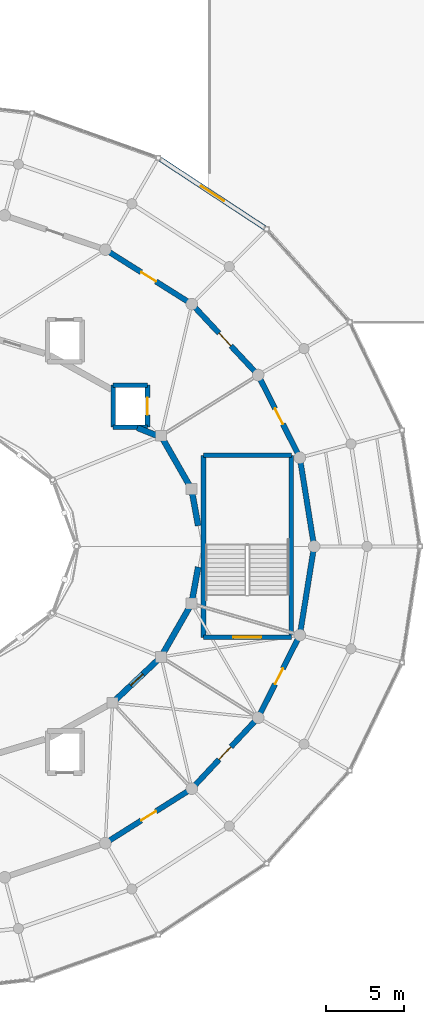
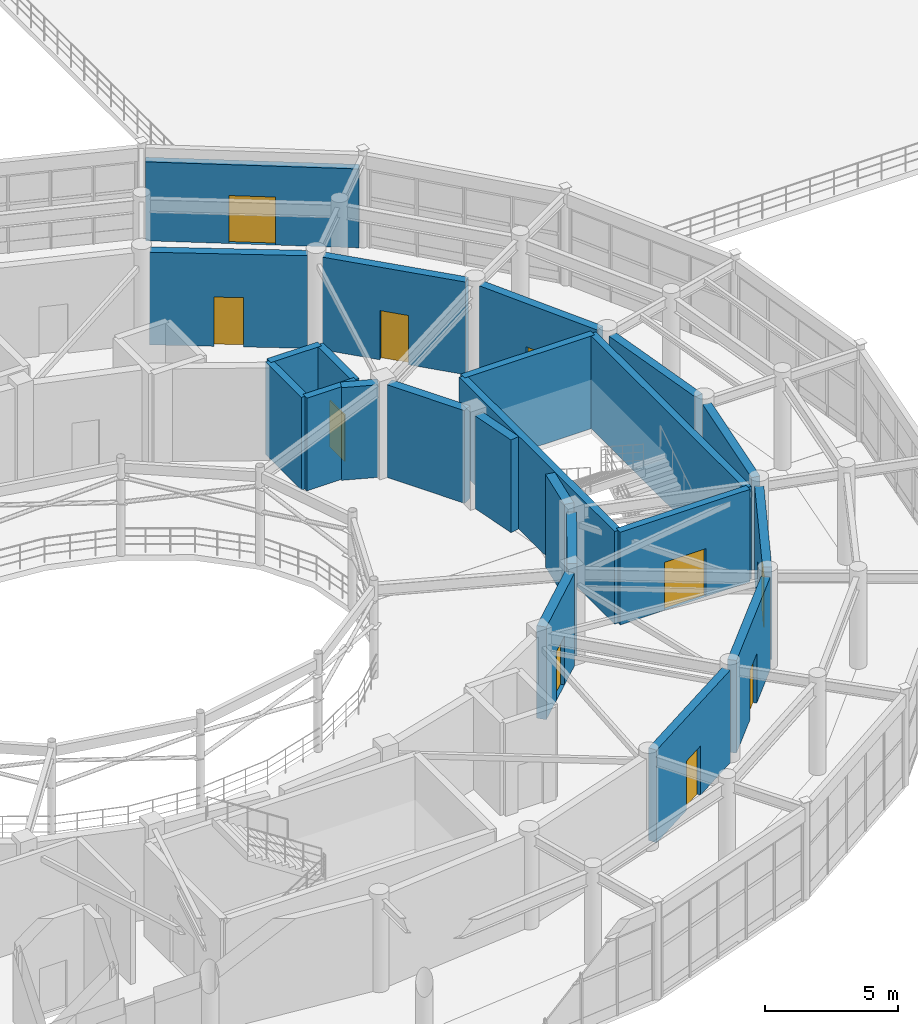
# One storey, part 45 of 60: 23 walls, 10 doors, 10 openings.
"""IFC4 building model written with IfcOpenShell, lengths in metres."""

from ifc_helpers import new_model, si_unit, direction, frame, frame_2d, origin, place, context, subcontext, project, spatial, rectangle, extrude, material, layer, layer_set, type_object, element, fill, save


model = new_model("IFC4")

# Units and contexts
model_context = context("Model", 3, precision=1e-05, world=origin(), true_north=direction((0.0, 1.0)))
body_context = subcontext(model_context, "Body", "Model", "MODEL_VIEW")
ifc_project = project(units=[si_unit("LENGTHUNIT", "METRE"), si_unit("AREAUNIT", "SQUARE_METRE"), si_unit("VOLUMEUNIT", "CUBIC_METRE"), si_unit("PLANEANGLEUNIT", "RADIAN"), si_unit("MASSUNIT", "GRAM", prefix="KILO")], contexts=[model_context])

# Site, building, storey
site_placement = place(None, origin())
site = spatial("IfcSite", under=ifc_project, at=site_placement, CompositionType="ELEMENT")
building_placement = place(site_placement, origin())
building = spatial("IfcBuilding", under=site, at=building_placement, Name="Cinderbank Siding Concert Hall", CompositionType="ELEMENT")
storey_placement = place(building_placement, frame((0.0, 0.0, 14.699951171875)))
storey = spatial("IfcBuildingStorey", under=building, at=storey_placement, Name="L04", CompositionType="ELEMENT", Elevation=14.699951171875)

# Walls
ifc_material_1 = material(Name="Reinforced concrete AS 3600 N50 (50 MPa)", Category="concrete")
ifc_layer_1 = layer(ifc_material_1, 0.3798828125)
ifc_layer_set_1 = layer_set([ifc_layer_1], Name="Reinforced concrete AS 3600 N50 (50 MPa)")
wall_type_1 = type_object("IfcWallType", Name="WL-01 Structural Wall 380mm", PredefinedType="SOLIDWALL", material=ifc_layer_set_1)
wall_1_placement = place(storey_placement, frame((141.358642578125, 45.328125, 0.0), z_axis=(0.0, 0.0, 1.0), x_axis=(-0.178762697271, 0.983892218723, 0.0)))
element("IfcWall", 1, at=wall_1_placement, inside=storey, type_object=wall_type_1, Name="L04 Structural Wall SW-E1-L04-01", PredefinedType="SOLIDWALL", context=body_context, shape_type="SweptSolid", body=[
    extrude(rectangle(XDim=2.1005859375, YDim=0.3798828125, at=frame_2d((1.05029296875, 0.0))), origin(), (0.0, 0.0, 1.0), 4.25),
])
wall_2_placement = place(storey_placement, frame((140.79052734375, 47.922607421875, 0.0), z_axis=(0.0, 0.0, 1.0), x_axis=(-0.496318106012, 0.868140736082, 0.0)))
element("IfcWall", 2, at=wall_2_placement, inside=storey, type_object=wall_type_1, Name="L04 Structural Wall SW-E1-L04-02", PredefinedType="SOLIDWALL", context=body_context, shape_type="SweptSolid", body=[
    extrude(rectangle(XDim=3.375, YDim=0.3798828125, at=frame_2d((1.6875, 0.0))), origin(), (0.0, 0.0, 1.0), 4.25),
])
wall_3_placement = place(storey_placement, frame((138.75, 51.10009765625, 0.0), z_axis=(0.0, 0.0, 1.0), x_axis=(-0.928476690885, 0.371390676354, 0.0)))
element("IfcWall", 3, at=wall_3_placement, inside=storey, type_object=wall_type_1, Name="L04 Structural Wall SW-E1-L04-03", PredefinedType="SOLIDWALL", context=body_context, shape_type="SweptSolid", body=[
    extrude(rectangle(XDim=1.400146484375, YDim=0.3798828125, at=frame_2d((0.7001953125, 0.0))), origin(), (0.0, 0.0, 1.0), 4.25),
])

# Wall, opening, door
wall_4_placement = place(storey_placement, frame((136.06640625, 34.15478515625, 0.0), z_axis=(0.0, 0.0, 1.0), x_axis=(0.727127996206, 0.686501913423, 0.0)))
wall_4 = element("IfcWall", 4, at=wall_4_placement, inside=storey, type_object=wall_type_1, Name="L04 Structural Wall SW-E1-L04-22", PredefinedType="SOLIDWALL", context=body_context, shape_type="SweptSolid", body=[
    extrude(rectangle(XDim=3.7138671875, YDim=0.3798828125, at=frame_2d((1.85693359375, 0.0))), origin(), (0.0, 0.0, 1.0), 4.25),
])
opening_1_placement = place(wall_4_placement, frame((1.326904296875, 0.0, 0.0)))
opening_1 = element("IfcOpeningElement", 5, at=opening_1_placement, cuts=wall_4, Name="Opening D-18", PredefinedType="OPENING", context=body_context, shape_type="SweptSolid", body=[
    extrude(rectangle(XDim=1.06005859375, YDim=2.239990234375, at=frame_2d((0.530029296875, 1.1201171875))), frame((0.0, 0.201904296875, 0.0), z_axis=(0.0, -1.0, 0.0), x_axis=(1.0, 0.0, 0.0)), (0.0, 0.0, 1.0), 0.40380859375),
])
ifc_material_2 = material(Name="Solid-core spotted gum acoustic timber", Category="wood")
door_type_1 = type_object("IfcDoorType", Name="D-18 Interior Door 1060x2240", OperationType="NOTDEFINED", PredefinedType="DOOR", material=ifc_material_2)
door_1_placement = place(opening_1_placement, origin())
door_1 = element("IfcDoor", 6, at=door_1_placement, inside=storey, type_object=door_type_1, Name="L04 Auditorium Sound-Lock Door L04-D158", OperationType="SINGLE_SWING_LEFT", OverallHeight=2.239990234375, OverallWidth=1.06005859375, PredefinedType="DOOR", context=body_context, shape_type="SweptSolid", body=[
    extrude(rectangle(XDim=1.06005859375, YDim=2.239990234375, at=frame_2d((0.530029296875, 1.1201171875))), frame((0.0, 0.02490234375, 0.0), z_axis=(0.0, -1.0, 0.0), x_axis=(1.0, 0.0, 0.0)), (0.0, 0.0, 1.0), 0.050048828125),
])
fill(opening_1, door_1)

# Walls
wall_5_placement = place(storey_placement, frame((139.115478515625, 37.1474609375, 0.0), z_axis=(0.0, 0.0, 1.0), x_axis=(0.496318106012, 0.868140736082, 0.0)))
element("IfcWall", 7, at=wall_5_placement, inside=storey, type_object=wall_type_1, Name="L04 Structural Wall SW-E1-L04-23", PredefinedType="SOLIDWALL", context=body_context, shape_type="SweptSolid", body=[
    extrude(rectangle(XDim=3.375, YDim=0.3798828125, at=frame_2d((1.6875, 0.0))), origin(), (0.0, 0.0, 1.0), 4.25),
])
wall_6_placement = place(storey_placement, frame((140.983154296875, 40.605224609375, 0.0), z_axis=(0.0, 0.0, 1.0), x_axis=(0.178762697271, 0.983892218723, 0.0)))
element("IfcWall", 8, at=wall_6_placement, inside=storey, type_object=wall_type_1, Name="L04 Structural Wall SW-E1-L04-24", PredefinedType="SOLIDWALL", context=body_context, shape_type="SweptSolid", body=[
    extrude(rectangle(XDim=2.1005859375, YDim=0.3798828125, at=frame_2d((1.05029296875, 0.0))), origin(), (0.0, 0.0, 1.0), 4.25),
])
ifc_layer_2 = layer(ifc_material_1, 0.35009765625)
ifc_layer_set_2 = layer_set([ifc_layer_2], Name="Reinforced concrete AS 3600 N50 (50 MPa)")
wall_type_2 = type_object("IfcWallType", Name="WL-02 Structural Wall 350mm", PredefinedType="SHEAR", material=ifc_layer_set_2)
wall_7_placement = place(storey_placement, frame((148.7509765625, 44.30615234375, 0.0), z_axis=(0.0, 0.0, 1.0), x_axis=(-0.158388253677, 0.98737690934, 0.0)))
element("IfcWall", 9, at=wall_7_placement, inside=storey, type_object=wall_type_2, Name="L04 Structural Wall SW-E2-L04-01", PredefinedType="SHEAR", context=body_context, shape_type="SweptSolid", body=[
    extrude(rectangle(XDim=5.146728515625, YDim=0.35009765625, at=frame_2d((2.5732421875, 0.0))), origin(), (0.0, 0.0, 1.0), 4.25),
])

# Wall, opening, door
wall_8_placement = place(storey_placement, frame((147.747314453125, 49.970703125, 0.0), z_axis=(0.0, 0.0, 1.0), x_axis=(-0.450512686904, 0.892770025784, 0.0)))
wall_8 = element("IfcWall", 10, at=wall_8_placement, inside=storey, type_object=wall_type_2, Name="L04 Structural Wall SW-E2-L04-02", PredefinedType="SHEAR", context=body_context, shape_type="SweptSolid", body=[
    extrude(rectangle(XDim=5.3232421875, YDim=0.35009765625, at=frame_2d((2.66162109375, 0.0))), origin(), (0.0, 0.0, 1.0), 4.25),
])
opening_2_placement = place(wall_8_placement, frame((2.1015625, 0.0, 0.0)))
opening_2 = element("IfcOpeningElement", 11, at=opening_2_placement, cuts=wall_8, Name="Opening D-19", PredefinedType="OPENING", context=body_context, shape_type="SweptSolid", body=[
    extrude(rectangle(XDim=1.1201171875, YDim=2.260009765625, at=frame_2d((0.56005859375, 1.1298828125))), frame((0.0, 0.18701171875, 0.0), z_axis=(0.0, -1.0, 0.0), x_axis=(1.0, 0.0, 0.0)), (0.0, 0.0, 1.0), 0.3740234375),
])
door_type_2 = type_object("IfcDoorType", Name="D-19 Interior Door 1120x2260", OperationType="NOTDEFINED", PredefinedType="DOOR", material=ifc_material_2)
door_2_placement = place(opening_2_placement, origin())
door_2 = element("IfcDoor", 12, at=door_2_placement, inside=storey, type_object=door_type_2, Name="L04 Auditorium Sound-Lock Door L04-D159", OperationType="SINGLE_SWING_RIGHT", OverallHeight=2.260009765625, OverallWidth=1.1201171875, PredefinedType="DOOR", context=body_context, shape_type="SweptSolid", body=[
    extrude(rectangle(XDim=1.1201171875, YDim=2.260009765625, at=frame_2d((0.56005859375, 1.1298828125))), frame((0.0, 0.02490234375, 0.0), z_axis=(0.0, -1.0, 0.0), x_axis=(1.0, 0.0, 0.0)), (0.0, 0.0, 1.0), 0.050048828125),
])
fill(opening_2, door_2)

wall_9_placement = place(storey_placement, frame((144.997802734375, 55.2265625, 0.0), z_axis=(0.0, 0.0, 1.0), x_axis=(-0.682886399388, 0.730524582427, 0.0)))
wall_9 = element("IfcWall", 13, at=wall_9_placement, inside=storey, type_object=wall_type_2, Name="L04 Structural Wall SW-E2-L04-03", PredefinedType="SHEAR", context=body_context, shape_type="SweptSolid", body=[
    extrude(rectangle(XDim=5.616943359375, YDim=0.35009765625, at=frame_2d((2.80859375, 0.0))), origin(), (0.0, 0.0, 1.0), 4.25),
])
opening_3_placement = place(wall_9_placement, frame((2.248291015625, 0.0, 0.0)))
opening_3 = element("IfcOpeningElement", 14, at=opening_3_placement, cuts=wall_9, Name="Opening D-19", PredefinedType="OPENING", context=body_context, shape_type="SweptSolid", body=[
    extrude(rectangle(XDim=1.1201171875, YDim=2.260009765625, at=frame_2d((0.56005859375, 1.1298828125))), frame((0.0, 0.18701171875, 0.0), z_axis=(0.0, -1.0, 0.0), x_axis=(1.0, 0.0, 0.0)), (0.0, 0.0, 1.0), 0.3740234375),
])
door_3_placement = place(opening_3_placement, origin())
door_3 = element("IfcDoor", 15, at=door_3_placement, inside=storey, type_object=door_type_2, Name="L04 Auditorium Sound-Lock Door L04-D160", OperationType="SINGLE_SWING_LEFT", OverallHeight=2.260009765625, OverallWidth=1.1201171875, PredefinedType="DOOR", context=body_context, shape_type="SweptSolid", body=[
    extrude(rectangle(XDim=1.1201171875, YDim=2.260009765625, at=frame_2d((0.56005859375, 1.1298828125))), frame((0.0, 0.02490234375, 0.0), z_axis=(0.0, -1.0, 0.0), x_axis=(1.0, 0.0, 0.0)), (0.0, 0.0, 1.0), 0.050048828125),
])
fill(opening_3, door_3)

wall_10_placement = place(storey_placement, frame((140.688232421875, 59.721435546875, 0.0), z_axis=(0.0, 0.0, 1.0), x_axis=(-0.846113390603, 0.53300293643, 0.0)))
wall_10 = element("IfcWall", 16, at=wall_10_placement, inside=storey, type_object=wall_type_2, Name="L04 Structural Wall SW-E2-L04-04", PredefinedType="SHEAR", context=body_context, shape_type="SweptSolid", body=[
    extrude(rectangle(XDim=5.93994140625, YDim=0.35009765625, at=frame_2d((2.969970703125, 0.0))), origin(), (0.0, 0.0, 1.0), 4.25),
])
opening_4_placement = place(wall_10_placement, frame((2.409912109375, 0.0, 0.0)))
opening_4 = element("IfcOpeningElement", 17, at=opening_4_placement, cuts=wall_10, Name="Opening D-19", PredefinedType="OPENING", context=body_context, shape_type="SweptSolid", body=[
    extrude(rectangle(XDim=1.1201171875, YDim=2.260009765625, at=frame_2d((0.56005859375, 1.1298828125))), frame((0.0, 0.18701171875, 0.0), z_axis=(0.0, -1.0, 0.0), x_axis=(1.0, 0.0, 0.0)), (0.0, 0.0, 1.0), 0.3740234375),
])
door_4_placement = place(opening_4_placement, origin())
door_4 = element("IfcDoor", 18, at=door_4_placement, inside=storey, type_object=door_type_2, Name="L04 Auditorium Sound-Lock Door L04-D161", OperationType="SINGLE_SWING_RIGHT", OverallHeight=2.260009765625, OverallWidth=1.1201171875, PredefinedType="DOOR", context=body_context, shape_type="SweptSolid", body=[
    extrude(rectangle(XDim=1.1201171875, YDim=2.260009765625, at=frame_2d((0.56005859375, 1.1298828125))), frame((0.0, 0.02490234375, 0.0), z_axis=(0.0, -1.0, 0.0), x_axis=(1.0, 0.0, 0.0)), (0.0, 0.0, 1.0), 0.050048828125),
])
fill(opening_4, door_4)

wall_11_placement = place(storey_placement, frame((135.662353515625, 25.112548828125, 0.0), z_axis=(0.0, 0.0, 1.0), x_axis=(0.846113390603, 0.53300293643, 0.0)))
wall_11 = element("IfcWall", 19, at=wall_11_placement, inside=storey, type_object=wall_type_2, Name="L04 Structural Wall SW-E2-L04-21", PredefinedType="SHEAR", context=body_context, shape_type="SweptSolid", body=[
    extrude(rectangle(XDim=5.93994140625, YDim=0.35009765625, at=frame_2d((2.969970703125, 0.0))), origin(), (0.0, 0.0, 1.0), 4.25),
])
opening_5_placement = place(wall_11_placement, frame((2.409912109375, 0.0, 0.0)))
opening_5 = element("IfcOpeningElement", 20, at=opening_5_placement, cuts=wall_11, Name="Opening D-19", PredefinedType="OPENING", context=body_context, shape_type="SweptSolid", body=[
    extrude(rectangle(XDim=1.1201171875, YDim=2.260009765625, at=frame_2d((0.56005859375, 1.1298828125))), frame((0.0, 0.18701171875, 0.0), z_axis=(0.0, -1.0, 0.0), x_axis=(1.0, 0.0, 0.0)), (0.0, 0.0, 1.0), 0.3740234375),
])
door_5_placement = place(opening_5_placement, origin())
door_5 = element("IfcDoor", 21, at=door_5_placement, inside=storey, type_object=door_type_2, Name="L04 Auditorium Sound-Lock Door L04-D170", OperationType="SINGLE_SWING_LEFT", OverallHeight=2.260009765625, OverallWidth=1.1201171875, PredefinedType="DOOR", context=body_context, shape_type="SweptSolid", body=[
    extrude(rectangle(XDim=1.1201171875, YDim=2.260009765625, at=frame_2d((0.56005859375, 1.1298828125))), frame((0.0, 0.02490234375, 0.0), z_axis=(0.0, -1.0, 0.0), x_axis=(1.0, 0.0, 0.0)), (0.0, 0.0, 1.0), 0.050048828125),
])
fill(opening_5, door_5)

wall_12_placement = place(storey_placement, frame((141.162109375, 28.670166015625, 0.0), z_axis=(0.0, 0.0, 1.0), x_axis=(0.682886399388, 0.730524582427, 0.0)))
wall_12 = element("IfcWall", 22, at=wall_12_placement, inside=storey, type_object=wall_type_2, Name="L04 Structural Wall SW-E2-L04-22", PredefinedType="SHEAR", context=body_context, shape_type="SweptSolid", body=[
    extrude(rectangle(XDim=5.616943359375, YDim=0.35009765625, at=frame_2d((2.80859375, 0.0))), origin(), (0.0, 0.0, 1.0), 4.25),
])
opening_6_placement = place(wall_12_placement, frame((2.248291015625, 0.0, 0.0)))
opening_6 = element("IfcOpeningElement", 23, at=opening_6_placement, cuts=wall_12, Name="Opening D-19", PredefinedType="OPENING", context=body_context, shape_type="SweptSolid", body=[
    extrude(rectangle(XDim=1.1201171875, YDim=2.260009765625, at=frame_2d((0.56005859375, 1.1298828125))), frame((0.0, 0.18701171875, 0.0), z_axis=(0.0, -1.0, 0.0), x_axis=(1.0, 0.0, 0.0)), (0.0, 0.0, 1.0), 0.3740234375),
])
door_6_placement = place(opening_6_placement, origin())
door_6 = element("IfcDoor", 24, at=door_6_placement, inside=storey, type_object=door_type_2, Name="L04 Auditorium Sound-Lock Door L04-D171", OperationType="SINGLE_SWING_RIGHT", OverallHeight=2.260009765625, OverallWidth=1.1201171875, PredefinedType="DOOR", context=body_context, shape_type="SweptSolid", body=[
    extrude(rectangle(XDim=1.1201171875, YDim=2.260009765625, at=frame_2d((0.56005859375, 1.1298828125))), frame((0.0, 0.02490234375, 0.0), z_axis=(0.0, -1.0, 0.0), x_axis=(1.0, 0.0, 0.0)), (0.0, 0.0, 1.0), 0.050048828125),
])
fill(opening_6, door_6)

wall_13_placement = place(storey_placement, frame((145.34912109375, 33.27685546875, 0.0), z_axis=(0.0, 0.0, 1.0), x_axis=(0.450512686904, 0.892770025784, 0.0)))
wall_13 = element("IfcWall", 25, at=wall_13_placement, inside=storey, type_object=wall_type_2, Name="L04 Structural Wall SW-E2-L04-23", PredefinedType="SHEAR", context=body_context, shape_type="SweptSolid", body=[
    extrude(rectangle(XDim=5.3232421875, YDim=0.35009765625, at=frame_2d((2.66162109375, 0.0))), origin(), (0.0, 0.0, 1.0), 4.25),
])
opening_7_placement = place(wall_13_placement, frame((2.1015625, 0.0, 0.0)))
opening_7 = element("IfcOpeningElement", 26, at=opening_7_placement, cuts=wall_13, Name="Opening D-19", PredefinedType="OPENING", context=body_context, shape_type="SweptSolid", body=[
    extrude(rectangle(XDim=1.1201171875, YDim=2.260009765625, at=frame_2d((0.56005859375, 1.1298828125))), frame((0.0, 0.18701171875, 0.0), z_axis=(0.0, -1.0, 0.0), x_axis=(1.0, 0.0, 0.0)), (0.0, 0.0, 1.0), 0.3740234375),
])
door_7_placement = place(opening_7_placement, origin())
door_7 = element("IfcDoor", 27, at=door_7_placement, inside=storey, type_object=door_type_2, Name="L04 Auditorium Sound-Lock Door L04-D172", OperationType="SINGLE_SWING_LEFT", OverallHeight=2.260009765625, OverallWidth=1.1201171875, PredefinedType="DOOR", context=body_context, shape_type="SweptSolid", body=[
    extrude(rectangle(XDim=1.1201171875, YDim=2.260009765625, at=frame_2d((0.56005859375, 1.1298828125))), frame((0.0, 0.02490234375, 0.0), z_axis=(0.0, -1.0, 0.0), x_axis=(1.0, 0.0, 0.0)), (0.0, 0.0, 1.0), 0.050048828125),
])
fill(opening_7, door_7)

# Wall
wall_14_placement = place(storey_placement, frame((147.935791015625, 38.612060546875, 0.0), z_axis=(0.0, 0.0, 1.0), x_axis=(0.158388253677, 0.98737690934, 0.0)))
element("IfcWall", 28, at=wall_14_placement, inside=storey, type_object=wall_type_2, Name="L04 Structural Wall SW-E2-L04-24", PredefinedType="SHEAR", context=body_context, shape_type="SweptSolid", body=[
    extrude(rectangle(XDim=5.146728515625, YDim=0.35009765625, at=frame_2d((2.5732421875, 0.0))), origin(), (0.0, 0.0, 1.0), 4.25),
])

# Wall, opening, door
ifc_layer_3 = layer(ifc_material_1, 0.300048828125)
ifc_layer_set_3 = layer_set([ifc_layer_3], Name="Reinforced concrete AS 3600 N50 (50 MPa)")
wall_type_3 = type_object("IfcWallType", Name="WL-03 Structural Wall 300mm", PredefinedType="SHEAR", material=ifc_layer_set_3)
wall_15_placement = place(storey_placement, frame((147.340087890625, 38.159912109375, 0.0), z_axis=(0.0, 0.0, 1.0), x_axis=(-1.0, 0.0, 0.0)))
wall_15 = element("IfcWall", 29, at=wall_15_placement, inside=storey, type_object=wall_type_3, Name="L04 ST-03 Core Wall ENTRY", PredefinedType="SHEAR", context=body_context, shape_type="SweptSolid", body=[
    extrude(rectangle(XDim=5.64013671875, YDim=0.300048828125, at=frame_2d((2.820068359375, 0.0))), origin(), (0.0, 0.0, 1.0), 4.25),
])
opening_8_placement = place(wall_15_placement, frame((1.919921875, 0.0, 0.0)))
opening_8 = element("IfcOpeningElement", 30, at=opening_8_placement, cuts=wall_15, Name="Opening D-05", PredefinedType="OPENING", context=body_context, shape_type="SweptSolid", body=[
    extrude(rectangle(XDim=1.800048828125, YDim=2.199951171875, at=frame_2d((0.89990234375, 1.10009765625))), frame((0.0, 0.162109375, 0.0), z_axis=(0.0, -1.0, 0.0), x_axis=(1.0, 0.0, 0.0)), (0.0, 0.0, 1.0), 0.323974609375),
])
ifc_material_3 = material(Name="Galvanised sheet steel acoustic fire door assembly", Category="steel")
door_type_3 = type_object("IfcDoorType", Name="D-05 Interior Door 1800x2200", OperationType="DOUBLE_DOOR_SINGLE_SWING", PredefinedType="DOOR", material=ifc_material_3)
door_8_placement = place(opening_8_placement, origin())
door_8 = element("IfcDoor", 31, at=door_8_placement, inside=storey, type_object=door_type_3, Name="L04 ST-03 Fire Stair Door L04-D019", OperationType="DOUBLE_DOOR_SINGLE_SWING", OverallHeight=2.199951171875, OverallWidth=1.800048828125, PredefinedType="DOOR", context=body_context, shape_type="SweptSolid", body=[
    extrude(rectangle(XDim=1.800048828125, YDim=2.199951171875, at=frame_2d((0.89990234375, 1.10009765625))), frame((0.0, 0.02490234375, 0.0), z_axis=(0.0, -1.0, 0.0), x_axis=(1.0, 0.0, 0.0)), (0.0, 0.0, 1.0), 0.050048828125),
])
fill(opening_8, door_8)

# Walls
wall_16_placement = place(storey_placement, frame((141.699951171875, 49.840087890625, 0.0), z_axis=(0.0, 0.0, 1.0), x_axis=(1.0, 0.0, 0.0)))
element("IfcWall", 32, at=wall_16_placement, inside=storey, type_object=wall_type_3, Name="L04 ST-03 Core Wall FAR", PredefinedType="SHEAR", context=body_context, shape_type="SweptSolid", body=[
    extrude(rectangle(XDim=5.64013671875, YDim=0.300048828125, at=frame_2d((2.820068359375, 0.0))), origin(), (0.0, 0.0, 1.0), 4.25),
])
for number, where, z_axis, x_axis, name in (
    (33, (147.340087890625, 49.840087890625, 0.0), (0.0, 0.0, 1.0), (0.0, -1.0, 0.0), "L04 ST-03 Core Wall SIDE1"),
    (34, (141.699951171875, 38.159912109375, 0.0), (0.0, 0.0, 1.0), (0.0, 1.0, 0.0), "L04 ST-03 Core Wall SIDE2"),
):
    element("IfcWall", number, at=place(storey_placement, frame(where, z_axis=z_axis, x_axis=x_axis)), inside=storey, type_object=wall_type_3, Name=name, PredefinedType="SHEAR", context=body_context, shape_type="SweptSolid", body=[
        extrude(rectangle(XDim=11.68017578125, YDim=0.300048828125, at=frame_2d((5.840087890625, 0.0))), origin(), (0.0, 0.0, 1.0), 4.25),
    ])
wall_17_placement = place(storey_placement, frame((138.10009765625, 51.64990234375, 0.0), z_axis=(0.0, 0.0, 1.0), x_axis=(-1.0, 0.0, 0.0)))
element("IfcWall", 35, at=wall_17_placement, inside=storey, type_object=wall_type_3, Name="L04 LF-03 Shaft Wall -Y", PredefinedType="SHEAR", context=body_context, shape_type="SweptSolid", body=[
    extrude(rectangle(XDim=2.2001953125, YDim=0.300048828125, at=frame_2d((1.10009765625, 0.0))), origin(), (0.0, 0.0, 1.0), 4.25),
])

# Wall, opening, door
wall_18_placement = place(storey_placement, frame((138.10009765625, 54.35009765625, 0.0), z_axis=(0.0, 0.0, 1.0), x_axis=(0.0, -1.0, 0.0)))
wall_18 = element("IfcWall", 36, at=wall_18_placement, inside=storey, type_object=wall_type_3, Name="L04 LF-03 Shaft Wall +X", PredefinedType="SHEAR", context=body_context, shape_type="SweptSolid", body=[
    extrude(rectangle(XDim=2.7001953125, YDim=0.300048828125, at=frame_2d((1.35009765625, 0.0))), origin(), (0.0, 0.0, 1.0), 4.25),
])
opening_9_placement = place(wall_18_placement, frame((0.800048828125, 0.0, 0.0)))
opening_9 = element("IfcOpeningElement", 37, at=opening_9_placement, cuts=wall_18, Name="Opening LD-01", PredefinedType="OPENING", context=body_context, shape_type="SweptSolid", body=[
    extrude(rectangle(XDim=1.10009765625, YDim=2.14990234375, at=frame_2d((0.550048828125, 1.074951171875))), frame((0.0, 0.162109375, 0.0), z_axis=(0.0, -1.0, 0.0), x_axis=(1.0, 0.0, 0.0)), (0.0, 0.0, 1.0), 0.323974609375),
])
door_type_4 = type_object("IfcDoorType", Name="LD-01 Interior Door 1100x2150", OperationType="DOUBLE_DOOR_SLIDING", PredefinedType="DOOR", material=ifc_material_3)
door_9_placement = place(opening_9_placement, origin())
door_9 = element("IfcDoor", 38, at=door_9_placement, inside=storey, type_object=door_type_4, Name="L04 LF-03 Sliding Landing Door", OperationType="DOUBLE_DOOR_SLIDING", OverallHeight=2.14990234375, OverallWidth=1.10009765625, PredefinedType="DOOR", context=body_context, shape_type="SweptSolid", body=[
    extrude(rectangle(XDim=1.10009765625, YDim=2.14990234375, at=frame_2d((0.550048828125, 1.074951171875))), frame((0.0, 0.02490234375, 0.0), z_axis=(0.0, -1.0, 0.0), x_axis=(1.0, 0.0, 0.0)), (0.0, 0.0, 1.0), 0.050048828125),
])
fill(opening_9, door_9)

# Walls
wall_19_placement = place(storey_placement, frame((135.89990234375, 54.35009765625, 0.0), z_axis=(0.0, 0.0, 1.0), x_axis=(1.0, 0.0, 0.0)))
element("IfcWall", 39, at=wall_19_placement, inside=storey, type_object=wall_type_3, Name="L04 LF-03 Shaft Wall +Y", PredefinedType="SHEAR", context=body_context, shape_type="SweptSolid", body=[
    extrude(rectangle(XDim=2.2001953125, YDim=0.300048828125, at=frame_2d((1.10009765625, 0.0))), origin(), (0.0, 0.0, 1.0), 4.25),
])
wall_20_placement = place(storey_placement, frame((135.89990234375, 51.64990234375, 0.0), z_axis=(0.0, 0.0, 1.0), x_axis=(0.0, 1.0, 0.0)))
element("IfcWall", 40, at=wall_20_placement, inside=storey, type_object=wall_type_3, Name="L04 LF-03 Shaft Wall -X", PredefinedType="SHEAR", context=body_context, shape_type="SweptSolid", body=[
    extrude(rectangle(XDim=2.7001953125, YDim=0.300048828125, at=frame_2d((1.35009765625, 0.0))), origin(), (0.0, 0.0, 1.0), 4.25),
])

# Wall, opening, door
ifc_material_4 = material(Name="Clinker clay brickwork masonry AS 3700 (20 MPa)", Category="masonry")
ifc_layer_4 = layer(ifc_material_4, 0.31005859375)
ifc_layer_set_4 = layer_set([ifc_layer_4], Name="Clinker clay brickwork masonry AS 3700 (20 MPa)")
wall_type_4 = type_object("IfcWallType", Name="WL-08 Exterior Wall 310mm", PredefinedType="STANDARD", material=ifc_layer_set_4)
wall_21_placement = place(storey_placement, frame((138.9228515625, 68.86083984375, 0.0), z_axis=(0.0, 0.0, 1.0), x_axis=(0.835474718074, -0.549528885009, 0.0)))
wall_21 = element("IfcWall", 41, at=wall_21_placement, inside=storey, type_object=wall_type_4, Name="L04 Facade Wall EW-E4-L04-TERR", PredefinedType="STANDARD", context=body_context, shape_type="SweptSolid", body=[
    extrude(rectangle(XDim=8.03515625, YDim=0.31005859375, at=frame_2d((4.017578125, 0.0))), origin(), (0.0, 0.0, 1.0), 3.616943359375),
])
opening_10_placement = place(wall_21_placement, frame((3.142578125, 0.0, 0.0)))
opening_10 = element("IfcOpeningElement", 42, at=opening_10_placement, cuts=wall_21, Name="Opening TD-01", PredefinedType="OPENING", context=body_context, shape_type="SweptSolid", body=[
    extrude(rectangle(XDim=1.75, YDim=2.199951171875, at=frame_2d((0.875, 1.10009765625))), frame((0.0, 0.1669921875, 0.0), z_axis=(0.0, -1.0, 0.0), x_axis=(1.0, 0.0, 0.0)), (0.0, 0.0, 1.0), 0.333984375),
])
door_type_5 = type_object("IfcDoorType", Name="TD-01 Exterior Door 1750x2200", OperationType="DOUBLE_DOOR_SINGLE_SWING", PredefinedType="DOOR", material=ifc_material_2)
door_10_placement = place(opening_10_placement, origin())
door_10 = element("IfcDoor", 43, at=door_10_placement, inside=storey, type_object=door_type_5, Name="L04 Pavilion Terrace Door", OperationType="DOUBLE_DOOR_SINGLE_SWING", OverallHeight=2.199951171875, OverallWidth=1.75, PredefinedType="DOOR", context=body_context, shape_type="SweptSolid", body=[
    extrude(rectangle(XDim=1.75, YDim=2.199951171875, at=frame_2d((0.875, 1.10009765625))), frame((0.0, 0.02490234375, 0.0), z_axis=(0.0, -1.0, 0.0), x_axis=(1.0, 0.0, 0.0)), (0.0, 0.0, 1.0), 0.050048828125),
])
fill(opening_10, door_10)

save(model, "model.ifc")
